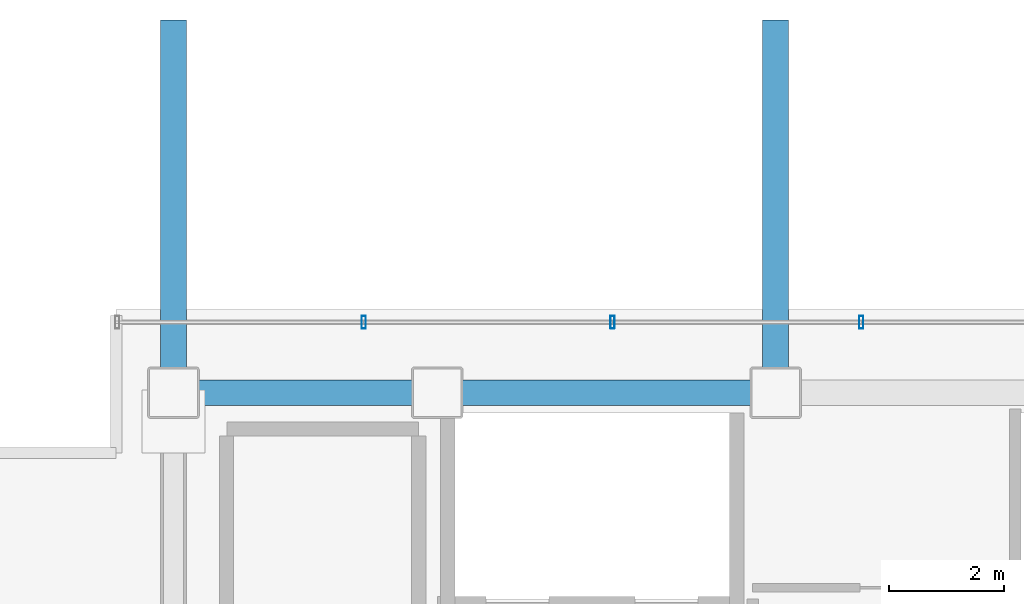
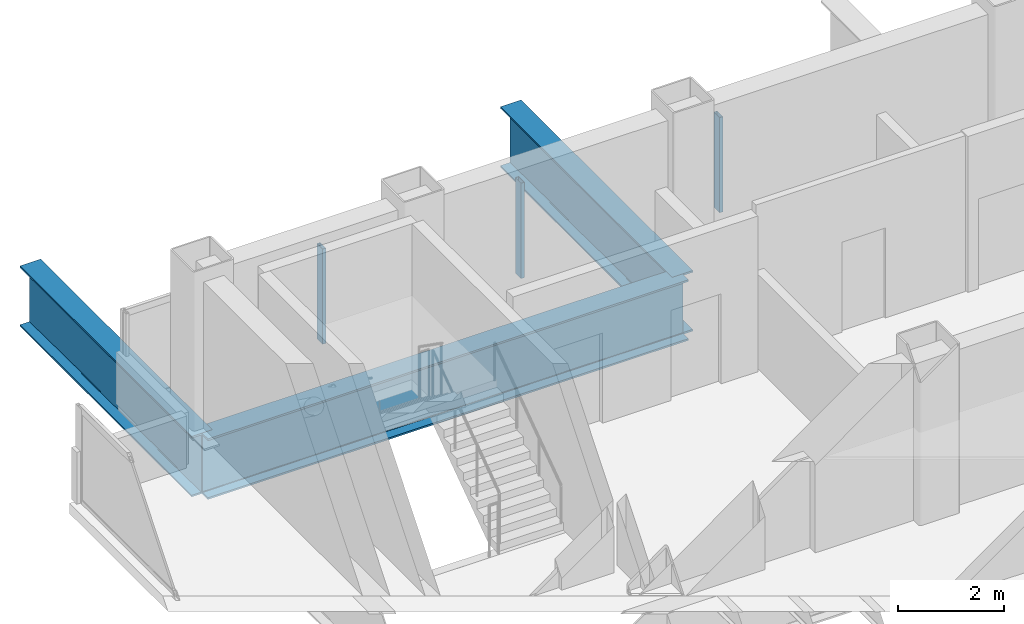
# One storey, part 7 of 17: 3 beams, 3 members, 1 element without a shape of its own.
"""IFC4 building model written with IfcOpenShell, lengths in metres."""

from ifc_helpers import new_model, si_unit, direction, frame, origin, origin_2d, place, context, subcontext, project, spatial, hollow_rectangle, i_section, extrude, material, material_profile, profile_set, type_object, element, aggregate, save


model = new_model("IFC4")

# Units and contexts
model_context = context("Model", 3, precision=1e-05, world=origin(), true_north=direction((0.0, 1.0)))
body_context = subcontext(model_context, "Body", "Model", "MODEL_VIEW")
ifc_project = project(units=[si_unit("LENGTHUNIT", "METRE"), si_unit("AREAUNIT", "SQUARE_METRE"), si_unit("VOLUMEUNIT", "CUBIC_METRE"), si_unit("PLANEANGLEUNIT", "RADIAN"), si_unit("MASSUNIT", "GRAM", prefix="KILO")], contexts=[model_context])

# Site, building, storey
site_placement = place(None, origin())
site = spatial("IfcSite", under=ifc_project, at=site_placement, CompositionType="ELEMENT")
building_placement = place(site_placement, origin())
building = spatial("IfcBuilding", under=site, at=building_placement, Name="Noeulbin Bourse Tower", CompositionType="ELEMENT")
storey_placement = place(building_placement, frame((0.0, 0.0, 196.800048828125)))
storey = spatial("IfcBuildingStorey", under=building, at=storey_placement, Name="L49", CompositionType="ELEMENT", Elevation=196.800048828125)

# Beams
ifc_material_1 = material(Name="Steel S460", Category="steel")
ifc_material_profile_1 = material_profile(ifc_material_1, i_section(OverallWidth=0.449951171875, OverallDepth=1.39990234375, WebThickness=0.02392578125, FlangeThickness=0.0400390625, FilletRadius=0.02392578125, at=origin_2d()), Name="PG-1400x450x24x40", Category="LoadBearing")
ifc_profile_set_1 = profile_set([ifc_material_profile_1], Name="Steel S460")
beam_type = type_object("IfcBeamType", Name="BM-TRF-1400", PredefinedType="USERDEFINED", material=ifc_profile_set_1)
beam_placement = place(storey_placement, frame((13.5, 38.300048828125, -0.93994140625), z_axis=(1.0, 0.0, 0.0), x_axis=(0.0, 1.0, 0.0)))
element("IfcBeam", 1, at=beam_placement, inside=storey, type_object=beam_type, Name="Tower Primary Girder EW L49-3.1", ObjectType="GIRDER", PredefinedType="USERDEFINED", context=body_context, shape_type="SweptSolid", body=[
    extrude(i_section(OverallWidth=0.449951171875, OverallDepth=1.39990234375, WebThickness=0.02392578125, FlangeThickness=0.0400390625, FilletRadius=0.02392578125, at=origin_2d()), origin(), (0.0, 0.0, 1.0), 10.5),
])
for number, where, z_axis, x_axis, name in (
    (2, (13.5, 38.300048828125, -0.93994140625), (0.0, 1.0, 0.0), (-1.0, 0.0, 0.0), "Tower Primary Girder NS L49-1.6"),
    (3, (24.0, 38.300048828125, -0.93994140625), (0.0, 1.0, 0.0), (-1.0, 0.0, 0.0), "Tower Primary Girder NS L49-2.6"),
):
    element("IfcBeam", number, at=place(storey_placement, frame(where, z_axis=z_axis, x_axis=x_axis)), inside=storey, type_object=beam_type, Name=name, ObjectType="GIRDER", PredefinedType="USERDEFINED", context=body_context, shape_type="SweptSolid", body=[
        extrude(i_section(OverallWidth=0.449951171875, OverallDepth=1.39990234375, WebThickness=0.02392578125, FlangeThickness=0.0400390625, FilletRadius=0.02392578125, at=origin_2d()), origin(), (0.0, 0.0, 1.0), 6.5),
    ])

# Curtain wall, members
ifc_material_2 = material(Name="Dark Tinted Triple Glazing", Category="glass")
curtain_wall_type = type_object("IfcCurtainWallType", Name="CW-SYS-3", PredefinedType="NOTDEFINED", material=ifc_material_2)
curtain_wall_placement = place(storey_placement, origin())
curtain_wall = element("IfcCurtainWall", 4, at=curtain_wall_placement, inside=storey, type_object=curtain_wall_type, Name="Unitised Curtain Wall CW-L49-N", PredefinedType="NOTDEFINED")
ifc_material_3 = material(Name="Anodised Aluminium 6063-T6", Category="aluminium")
ifc_material_profile_2 = material_profile(ifc_material_3, hollow_rectangle(XDim=0.074951171875, YDim=0.219970703125, WallThickness=0.0048828125, InnerFilletRadius=0.00244140625, OuterFilletRadius=0.0048828125, at=origin_2d()), Name="ALU-MULL-75x220x5", Category="LoadBearing")
ifc_profile_set_2 = profile_set([ifc_material_profile_2], Name="Anodised Aluminium 6063-T6")
member_type = type_object("IfcMemberType", Name="CW-SYS-3-MUL", PredefinedType="MULLION", material=ifc_profile_set_2)
member_1_placement = place(storey_placement, frame((16.81787109375, 39.530029296875, -0.02001953125), z_axis=(0.0, 0.0, 1.0), x_axis=(1.0, 0.0, 0.0)))
member_1 = element("IfcMember", 5, at=member_1_placement, type_object=member_type, Name="Curtain Wall Mullion CW-L49-N-M01", PredefinedType="MULLION", context=body_context, shape_type="SweptSolid", body=[
    extrude(hollow_rectangle(XDim=0.074951171875, YDim=0.219970703125, WallThickness=0.0048828125, InnerFilletRadius=0.00244140625, OuterFilletRadius=0.0048828125, at=origin_2d()), origin(), (0.0, 0.0, 1.0), 2.199951171875),
])
member_2_placement = place(storey_placement, frame((21.155517578125, 39.530029296875, -0.02001953125), z_axis=(0.0, 0.0, 1.0), x_axis=(1.0, 0.0, 0.0)))
member_2 = element("IfcMember", 6, at=member_2_placement, type_object=member_type, Name="Curtain Wall Mullion CW-L49-N-M02", PredefinedType="MULLION", context=body_context, shape_type="SweptSolid", body=[
    extrude(hollow_rectangle(XDim=0.074951171875, YDim=0.219970703125, WallThickness=0.0048828125, InnerFilletRadius=0.00244140625, OuterFilletRadius=0.0048828125, at=origin_2d()), origin(), (0.0, 0.0, 1.0), 2.199951171875),
])
member_3_placement = place(storey_placement, frame((25.493408203125, 39.530029296875, -0.02001953125), z_axis=(0.0, 0.0, 1.0), x_axis=(1.0, 0.0, 0.0)))
member_3 = element("IfcMember", 7, at=member_3_placement, type_object=member_type, Name="Curtain Wall Mullion CW-L49-N-M03", PredefinedType="MULLION", context=body_context, shape_type="SweptSolid", body=[
    extrude(hollow_rectangle(XDim=0.074951171875, YDim=0.219970703125, WallThickness=0.0048828125, InnerFilletRadius=0.00244140625, OuterFilletRadius=0.0048828125, at=origin_2d()), origin(), (0.0, 0.0, 1.0), 2.199951171875),
])
aggregate(curtain_wall, [member_1, member_2, member_3])

save(model, "model.ifc")
